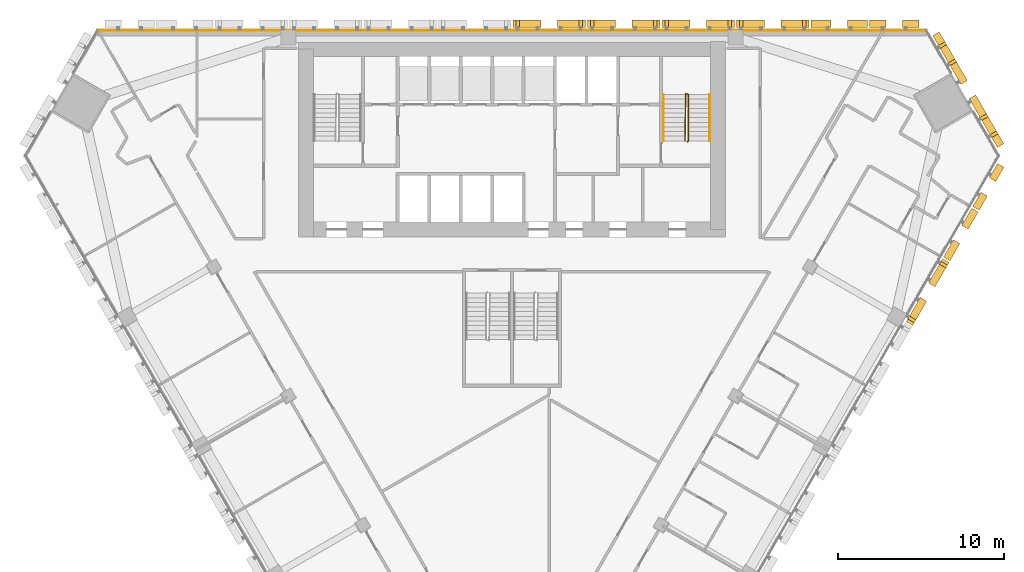
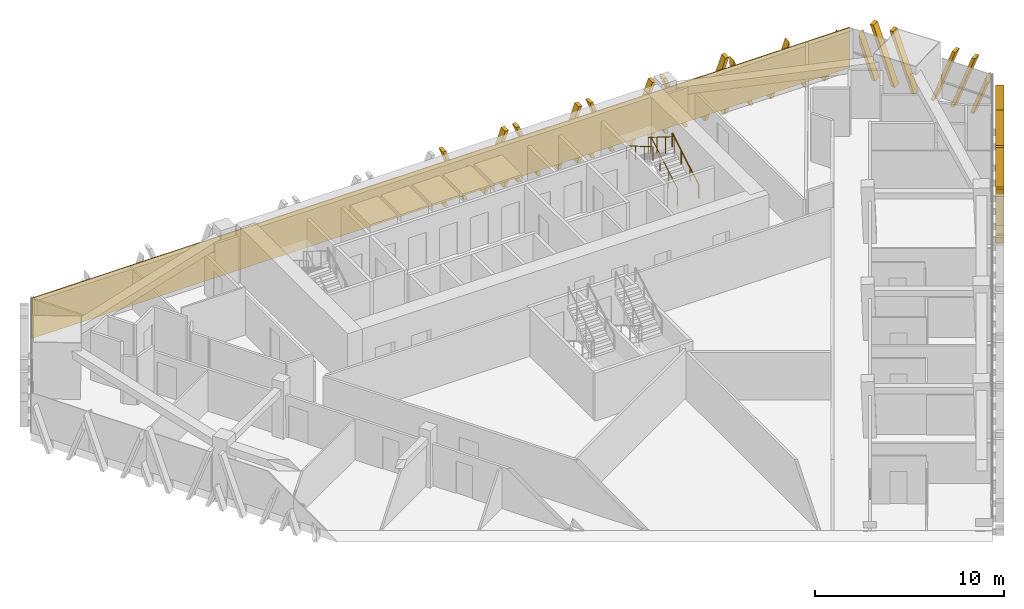
# One storey, part 15 of 16: 10 shading devices, 3 railings, 1 covering.
"""IFC4 building model written with IfcOpenShell, lengths in metres."""

from ifc_helpers import new_model, si_unit, direction, frame, frame_2d, origin, origin_2d, place, context, subcontext, project, spatial, polyline, rectangle, circle, outline, extrude, source, transform, mapped, material, layer, layer_set, type_object, element, save


model = new_model("IFC4")

# Units and contexts
model_context = context("Model", 3, precision=1e-05, world=origin(), true_north=direction((0.0, 1.0)))
body_context = subcontext(model_context, "Body", "Model", "MODEL_VIEW")
ifc_project = project(units=[si_unit("LENGTHUNIT", "METRE"), si_unit("AREAUNIT", "SQUARE_METRE"), si_unit("VOLUMEUNIT", "CUBIC_METRE"), si_unit("PLANEANGLEUNIT", "RADIAN"), si_unit("MASSUNIT", "GRAM", prefix="KILO")], contexts=[model_context])

# Site, building, storey
site_placement = place(None, origin())
site = spatial("IfcSite", under=ifc_project, at=site_placement, CompositionType="ELEMENT")
building_placement = place(site_placement, origin())
building = spatial("IfcBuilding", under=site, at=building_placement, Name="Altiplano Prism Tower", CompositionType="ELEMENT")
storey_placement = place(building_placement, frame((0.0, 0.0, 84.60009765625)))
storey = spatial("IfcBuildingStorey", under=building, at=storey_placement, Name="L21", CompositionType="ELEMENT", Elevation=84.60009765625)

# Railings
ifc_material_1 = material(Name="Steel S355", Category="steel")
railing_type_1 = type_object("IfcRailingType", Name="Stair guard 1100", PredefinedType="GUARDRAIL", material=ifc_material_1)
railing_1_placement = place(storey_placement, frame((95.60009765625, 98.25, 0.0)))
element("IfcRailing", 1, at=railing_1_placement, inside=storey, type_object=railing_type_1, Name="L21 ST2 stair guard 1", PredefinedType="GUARDRAIL", context=body_context, shape_type="SweptSolid", body=[
    extrude(circle(Radius=0.02392578125, at=origin_2d()), frame((0.0, 0.0, 1.076171875), z_axis=(0.279546231943, 0.280916556609, 0.91811752648), x_axis=(-0.708833529934, 0.705375805398, 0.0)), (0.0, 0.0, 1.0), 0.17822265625),
    extrude(circle(Radius=0.02392578125, at=origin_2d()), frame((0.0498046875, 0.050048828125, 1.23974609375), z_axis=(0.0, 0.863393664356, 0.504530851732), x_axis=(-1.0, 0.0, 0.0)), (0.0, 0.0, 1.0), 3.2431640625),
    extrude(circle(Radius=0.02392578125, at=origin_2d()), frame((0.0498046875, 2.85009765625, 2.8759765625), z_axis=(-0.948991962702, 0.315300261223, 0.0), x_axis=(-0.315300261223, -0.948991962702, 0.0)), (0.0, 0.0, 1.0), 0.157958984375),
    extrude(circle(Radius=0.02392578125, at=origin_2d()), frame((-0.10009765625, 2.89990234375, 2.8759765625), z_axis=(-0.014846418356, -0.845376787675, 0.533964109957), x_axis=(0.999845825584, -0.017559187376, 0.0)), (0.0, 0.0, 1.0), 3.37109375),
    extrude(circle(Radius=0.02099609375, at=origin_2d()), origin(), (0.0, 0.0, 1.0), 1.052001953125),
    extrude(circle(Radius=0.02099609375, at=origin_2d()), frame((0.0498046875, 0.050048828125, 0.16357421875)), (0.0, 0.0, 1.0), 1.052001953125),
    extrude(circle(Radius=0.02099609375, at=origin_2d()), frame((0.0498046875, 0.9833984375, 0.708984375)), (0.0, 0.0, 1.0), 1.052001953125),
    extrude(circle(Radius=0.02099609375, at=origin_2d()), frame((0.0498046875, 1.916748046875, 1.25439453125)), (0.0, 0.0, 1.0), 1.052001953125),
    extrude(circle(Radius=0.02099609375, at=origin_2d()), frame((0.0498046875, 2.85009765625, 1.7998046875)), (0.0, 0.0, 1.0), 1.052001953125),
    extrude(circle(Radius=0.02099609375, at=origin_2d()), frame((-0.10009765625, 2.89990234375, 1.7998046875)), (0.0, 0.0, 1.0), 1.052001953125),
    extrude(circle(Radius=0.02099609375, at=origin_2d()), frame((-0.11669921875, 1.949951171875, 2.39990234375)), (0.0, 0.0, 1.0), 1.052001953125),
    extrude(circle(Radius=0.02099609375, at=origin_2d()), frame((-0.133544921875, 1.0, 2.999755859375)), (0.0, 0.0, 1.0), 1.052001953125),
    extrude(circle(Radius=0.02099609375, at=origin_2d()), frame((-0.150146484375, 0.050048828125, 3.599853515625)), (0.0, 0.0, 1.0), 1.052001953125),
])
railing_type_2 = type_object("IfcRailingType", Name="Stair handrail 900", PredefinedType="HANDRAIL", material=ifc_material_1)
railing_2_placement = place(storey_placement, frame((96.949951171875, 98.300048828125, 0.16357421875)))
element("IfcRailing", 2, at=railing_2_placement, inside=storey, type_object=railing_type_2, Name="L21 ST2 stair handrail 1", PredefinedType="HANDRAIL", context=body_context, shape_type="SweptSolid", body=[
    extrude(circle(Radius=0.02392578125, at=origin_2d()), frame((0.0, 0.0, 0.8759765625), z_axis=(0.0, 0.863393664356, 0.504530851732), x_axis=(-1.0, 0.0, 0.0)), (0.0, 0.0, 1.0), 3.2431640625),
    extrude(circle(Radius=0.02099609375, at=origin_2d()), origin(), (0.0, 0.0, 1.0), 0.851806640625),
    extrude(circle(Radius=0.02099609375, at=origin_2d()), frame((0.0, 0.933349609375, 0.54541015625)), (0.0, 0.0, 1.0), 0.851806640625),
    extrude(circle(Radius=0.02099609375, at=origin_2d()), frame((0.0, 1.86669921875, 1.0908203125)), (0.0, 0.0, 1.0), 0.851806640625),
    extrude(circle(Radius=0.02099609375, at=origin_2d()), frame((0.0, 2.800048828125, 1.63623046875)), (0.0, 0.0, 1.0), 0.851806640625),
])
railing_3_placement = place(storey_placement, frame((94.14990234375, 101.10009765625, 1.963623046875)))
element("IfcRailing", 3, at=railing_3_placement, inside=storey, type_object=railing_type_2, Name="L21 ST2 stair handrail 2", PredefinedType="HANDRAIL", context=body_context, shape_type="SweptSolid", body=[
    extrude(circle(Radius=0.02392578125, at=origin_2d()), frame((0.0, 0.0, 0.8759765625), z_axis=(0.0, -0.863393664356, 0.504530851732), x_axis=(1.0, 0.0, 0.0)), (0.0, 0.0, 1.0), 3.2431640625),
    extrude(circle(Radius=0.02099609375, at=origin_2d()), origin(), (0.0, 0.0, 1.0), 0.851806640625),
    extrude(circle(Radius=0.02099609375, at=origin_2d()), frame((0.0, -0.933349609375, 0.54541015625)), (0.0, 0.0, 1.0), 0.851806640625),
    extrude(circle(Radius=0.02099609375, at=origin_2d()), frame((0.0, -1.86669921875, 1.0908203125)), (0.0, 0.0, 1.0), 0.851806640625),
    extrude(circle(Radius=0.02099609375, at=origin_2d()), frame((0.0, -2.800048828125, 1.63623046875)), (0.0, 0.0, 1.0), 0.851806640625),
])

# Covering
ifc_material_2 = material(Name="Warm limestone cast stone", Category="masonry")
ifc_layer = layer(ifc_material_2, 0.06005859375)
ifc_layer_set = layer_set([ifc_layer], Name="Warm limestone cast stone")
covering_type = type_object("IfcCoveringType", Name="Stone cladding 60", PredefinedType="CLADDING", material=ifc_layer_set)
covering_placement = place(storey_placement, frame((59.955078125, 104.969970703125, 0.0), z_axis=(0.0, 0.0, 1.0), x_axis=(1.0, 0.0, 0.0)))
element("IfcCovering", 4, at=covering_placement, inside=storey, type_object=covering_type, Name="Stone cladding north face L21", PredefinedType="CLADDING", context=body_context, shape_type="SweptSolid", body=[
    extrude(rectangle(XDim=50.08984375, YDim=0.06005859375, at=frame_2d((25.044921875, 0.0))), origin(), (0.0, 0.0, 1.0), 2.599853515625),
])

# Shading devices
shading_device_type_1 = type_object("IfcShadingDeviceType", Name="Stone fin panel, standard unit", PredefinedType="USERDEFINED", material=ifc_material_2)
shared_shape_1 = source(origin(), body_context, "Body", "SweptSolid", [
    extrude(outline(polyline([(-2.199951171875, 1.373779296875), (-2.199951171875, 0.82421875), (-1.89990234375, 0.0), (-1.699951171875, 0.0), (-2.199951171875, 1.373779296875)])), frame((0.0, -0.14990234375, 0.0), z_axis=(0.0, -1.0, 0.0), x_axis=(1.0, 0.0, 0.0)), (0.0, 0.0, 1.0), 0.4501953125),
    extrude(outline(polyline([(-2.01025390625, 3.60009765625), (-0.699951171875, 0.0), (-0.5, 0.0), (-1.810302734375, 3.60009765625), (-2.01025390625, 3.60009765625)])), frame((0.0, -0.14990234375, 0.0), z_axis=(0.0, -1.0, 0.0), x_axis=(1.0, 0.0, 0.0)), (0.0, 0.0, 1.0), 0.4501953125),
    extrude(outline(polyline([(1.810302734375, 3.60009765625), (0.5, 0.0), (0.699951171875, 0.0), (2.01025390625, 3.60009765625), (1.810302734375, 3.60009765625)])), frame((0.0, -0.14990234375, 0.0), z_axis=(0.0, -1.0, 0.0), x_axis=(1.0, 0.0, 0.0)), (0.0, 0.0, 1.0), 0.4501953125),
    extrude(outline(polyline([(2.199951171875, 0.82421875), (2.199951171875, 1.373779296875), (1.699951171875, 0.0), (1.89990234375, 0.0), (2.199951171875, 0.82421875)])), frame((0.0, -0.14990234375, 0.0), z_axis=(0.0, -1.0, 0.0), x_axis=(1.0, 0.0, 0.0)), (0.0, 0.0, 1.0), 0.4501953125),
])
shading_device_1_placement = place(storey_placement, origin())
element("IfcShadingDevice", 5, at=shading_device_1_placement, inside=storey, type_object=shading_device_type_1, Name="Fin L21 north face 3", ObjectType="FIN", PredefinedType="USERDEFINED", context=body_context, shape_type="MappedRepresentation", body=[
    mapped(shared_shape_1, transform((100.75, 105.0, -0.5), x_axis=(-1.0, 0.0, 0.0), y_axis=(0.0, -1.0, 0.0), z_axis=(0.0, 0.0, 1.0))),
])
shading_device_2_placement = place(storey_placement, origin())
element("IfcShadingDevice", 6, at=shading_device_2_placement, inside=storey, type_object=shading_device_type_1, Name="Fin L21 north face 4", ObjectType="FIN", PredefinedType="USERDEFINED", context=body_context, shape_type="MappedRepresentation", body=[
    mapped(shared_shape_1, transform((96.25, 105.0, -0.5), x_axis=(-1.0, 0.0, 0.0), y_axis=(0.0, -1.0, 0.0), z_axis=(0.0, 0.0, 1.0))),
])
shading_device_3_placement = place(storey_placement, origin())
element("IfcShadingDevice", 7, at=shading_device_3_placement, inside=storey, type_object=shading_device_type_1, Name="Fin L21 north face 5", ObjectType="FIN", PredefinedType="USERDEFINED", context=body_context, shape_type="MappedRepresentation", body=[
    mapped(shared_shape_1, transform((91.75, 105.0, -0.5), x_axis=(-1.0, 0.0, 0.0), y_axis=(0.0, -1.0, 0.0), z_axis=(0.0, 0.0, 1.0))),
])
shading_device_4_placement = place(storey_placement, origin())
element("IfcShadingDevice", 8, at=shading_device_4_placement, inside=storey, type_object=shading_device_type_1, Name="Fin L21 north face 6", ObjectType="FIN", PredefinedType="USERDEFINED", context=body_context, shape_type="MappedRepresentation", body=[
    mapped(shared_shape_1, transform((87.25, 105.0, -0.5), x_axis=(-1.0, 0.0, 0.0), y_axis=(0.0, -1.0, 0.0), z_axis=(0.0, 0.0, 1.0))),
])
shading_device_5_placement = place(storey_placement, origin())
element("IfcShadingDevice", 9, at=shading_device_5_placement, inside=storey, type_object=shading_device_type_1, Name="Fin L21 south-east face 10", ObjectType="FIN", PredefinedType="USERDEFINED", context=body_context, shape_type="MappedRepresentation", body=[
    mapped(shared_shape_1, transform((109.78173828125, 89.356689453125, -0.5), x_axis=(0.500000008072, 0.866025399124, 0.0), y_axis=(-0.866025399124, 0.500000008072, 0.0), z_axis=(0.0, 0.0, 1.0))),
])
shading_device_type_2 = type_object("IfcShadingDeviceType", Name="Stone fin panel, narrow closing bay", PredefinedType="USERDEFINED", material=ifc_material_2)
shared_shape_2 = source(origin(), body_context, "Body", "SweptSolid", [
    extrude(outline(polyline([(-1.699951171875, 3.297119140625), (-1.699951171875, 2.74755859375), (-0.699951171875, 0.0), (-0.5, 0.0), (-1.699951171875, 3.297119140625)])), frame((0.0, -0.14990234375, 0.0), z_axis=(0.0, -1.0, 0.0), x_axis=(1.0, 0.0, 0.0)), (0.0, 0.0, 1.0), 0.4501953125),
    extrude(outline(polyline([(1.699951171875, 2.74755859375), (1.699951171875, 3.297119140625), (0.5, 0.0), (0.699951171875, 0.0), (1.699951171875, 2.74755859375)])), frame((0.0, -0.14990234375, 0.0), z_axis=(0.0, -1.0, 0.0), x_axis=(1.0, 0.0, 0.0)), (0.0, 0.0, 1.0), 0.4501953125),
])
shading_device_6_placement = place(storey_placement, origin())
element("IfcShadingDevice", 10, at=shading_device_6_placement, inside=storey, type_object=shading_device_type_2, Name="Fin L21 north face 2", ObjectType="FIN", PredefinedType="USERDEFINED", context=body_context, shape_type="MappedRepresentation", body=[
    mapped(shared_shape_2, transform((104.76123046875, 105.0, -0.5), x_axis=(-1.0, 0.0, 0.0), y_axis=(0.0, -1.0, 0.0), z_axis=(0.0, 0.0, 1.0))),
])
shading_device_7_placement = place(storey_placement, origin())
element("IfcShadingDevice", 11, at=shading_device_7_placement, inside=storey, type_object=shading_device_type_2, Name="Fin L21 south-east face 11", ObjectType="FIN", PredefinedType="USERDEFINED", context=body_context, shape_type="MappedRepresentation", body=[
    mapped(shared_shape_2, transform((111.787353515625, 92.83056640625, -0.5), x_axis=(0.500000008072, 0.866025399124, 0.0), y_axis=(-0.866025399124, 0.500000008072, 0.0), z_axis=(0.0, 0.0, 1.0))),
])
shared_shape_3 = source(origin(), body_context, "Body", "SweptSolid", [
    extrude(outline(polyline([(-1.5, 2.74755859375), (-1.5, 2.197998046875), (-0.699951171875, 0.0), (-0.5, 0.0), (-1.5, 2.74755859375)])), frame((0.0, -0.14990234375, 0.0), z_axis=(0.0, -1.0, 0.0), x_axis=(1.0, 0.0, 0.0)), (0.0, 0.0, 1.0), 0.4501953125),
    extrude(outline(polyline([(1.5, 2.197998046875), (1.5, 2.74755859375), (0.5, 0.0), (0.699951171875, 0.0), (1.5, 2.197998046875)])), frame((0.0, -0.14990234375, 0.0), z_axis=(0.0, -1.0, 0.0), x_axis=(1.0, 0.0, 0.0)), (0.0, 0.0, 1.0), 0.4501953125),
])
shading_device_8_placement = place(storey_placement, origin())
element("IfcShadingDevice", 12, at=shading_device_8_placement, inside=storey, type_object=shading_device_type_2, Name="Fin L21 north face 1", ObjectType="FIN", PredefinedType="USERDEFINED", context=body_context, shape_type="MappedRepresentation", body=[
    mapped(shared_shape_3, transform((108.083740234375, 105.0, -0.5), x_axis=(-1.0, 0.0, 0.0), y_axis=(0.0, -1.0, 0.0), z_axis=(0.0, 0.0, 1.0))),
])
shading_device_9_placement = place(storey_placement, origin())
element("IfcShadingDevice", 13, at=shading_device_9_placement, inside=storey, type_object=shading_device_type_2, Name="Fin L21 south-east face 12", ObjectType="FIN", PredefinedType="USERDEFINED", context=body_context, shape_type="MappedRepresentation", body=[
    mapped(shared_shape_3, transform((113.448486328125, 95.707763671875, -0.5), x_axis=(0.500000008072, 0.866025399124, 0.0), y_axis=(-0.866025399124, 0.500000008072, 0.0), z_axis=(0.0, 0.0, 1.0))),
])
shading_device_type_3 = type_object("IfcShadingDeviceType", Name="Stone fin panel, chamfer unit", PredefinedType="USERDEFINED", material=ifc_material_2)
shared_shape_4 = source(origin(), body_context, "Body", "SweptSolid", [
    extrude(outline(polyline([(-3.89990234375, 2.74755859375), (-3.89990234375, 2.197998046875), (-3.10009765625, 0.0), (-2.89990234375, 0.0), (-3.89990234375, 2.74755859375)])), frame((0.0, -0.14990234375, 0.0), z_axis=(0.0, -1.0, 0.0), x_axis=(1.0, 0.0, 0.0)), (0.0, 0.0, 1.0), 0.4501953125),
    extrude(outline(polyline([(-3.210205078125, 3.60009765625), (-1.89990234375, 0.0), (-1.699951171875, 0.0), (-3.01025390625, 3.60009765625), (-3.210205078125, 3.60009765625)])), frame((0.0, -0.14990234375, 0.0), z_axis=(0.0, -1.0, 0.0), x_axis=(1.0, 0.0, 0.0)), (0.0, 0.0, 1.0), 0.4501953125),
    extrude(outline(polyline([(-2.01025390625, 3.60009765625), (-0.699951171875, 0.0), (-0.5, 0.0), (-1.810302734375, 3.60009765625), (-2.01025390625, 3.60009765625)])), frame((0.0, -0.14990234375, 0.0), z_axis=(0.0, -1.0, 0.0), x_axis=(1.0, 0.0, 0.0)), (0.0, 0.0, 1.0), 0.4501953125),
    extrude(outline(polyline([(1.810302734375, 3.60009765625), (0.5, 0.0), (0.699951171875, 0.0), (2.01025390625, 3.60009765625), (1.810302734375, 3.60009765625)])), frame((0.0, -0.14990234375, 0.0), z_axis=(0.0, -1.0, 0.0), x_axis=(1.0, 0.0, 0.0)), (0.0, 0.0, 1.0), 0.4501953125),
    extrude(outline(polyline([(3.01025390625, 3.60009765625), (1.699951171875, 0.0), (1.89990234375, 0.0), (3.210205078125, 3.60009765625), (3.01025390625, 3.60009765625)])), frame((0.0, -0.14990234375, 0.0), z_axis=(0.0, -1.0, 0.0), x_axis=(1.0, 0.0, 0.0)), (0.0, 0.0, 1.0), 0.4501953125),
    extrude(outline(polyline([(3.89990234375, 2.197998046875), (3.89990234375, 2.74755859375), (2.89990234375, 0.0), (3.10009765625, 0.0), (3.89990234375, 2.197998046875)])), frame((0.0, -0.14990234375, 0.0), z_axis=(0.0, -1.0, 0.0), x_axis=(1.0, 0.0, 0.0)), (0.0, 0.0, 1.0), 0.4501953125),
])
shading_device_10_placement = place(storey_placement, origin())
element("IfcShadingDevice", 14, at=shading_device_10_placement, inside=storey, type_object=shading_device_type_3, Name="Fin L21 north-east chamfer 1", ObjectType="FIN", PredefinedType="USERDEFINED", context=body_context, shape_type="MappedRepresentation", body=[
    mapped(shared_shape_4, transform((112.237060546875, 101.203125, -0.5), x_axis=(-0.499999935885, 0.866025440801, 0.0), y_axis=(-0.866025440801, -0.499999935885, 0.0), z_axis=(0.0, 0.0, 1.0))),
])

save(model, "model.ifc")
